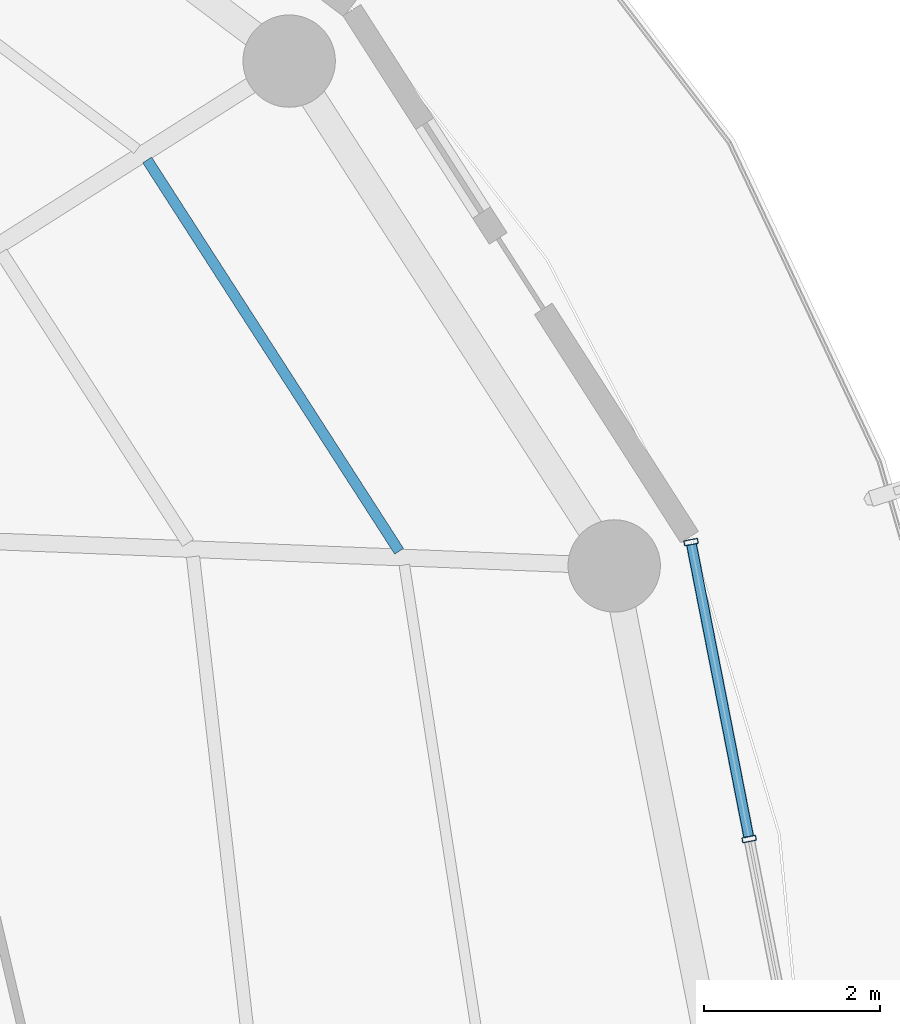
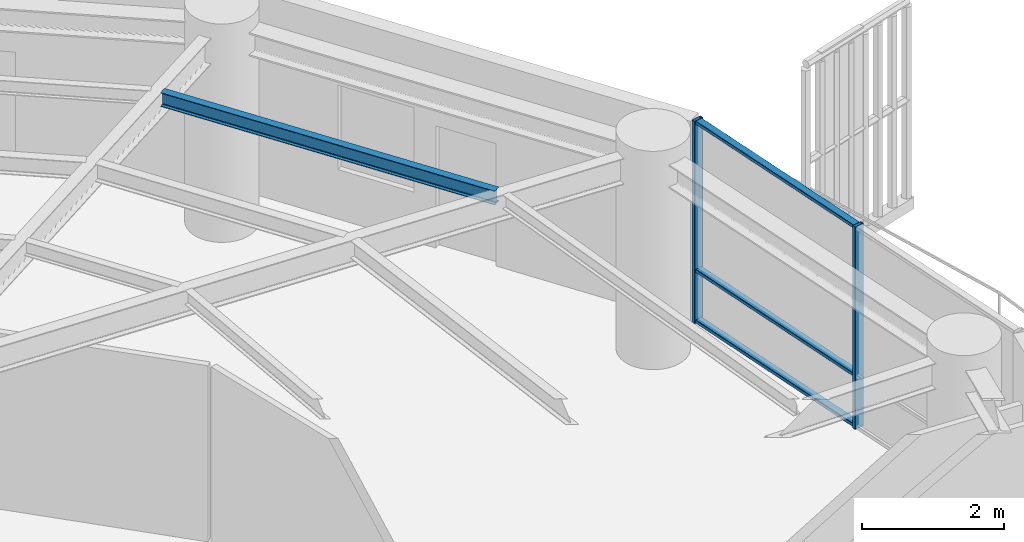
# One storey, part 16 of 31: 5 members, 1 beam, 1 element without a shape of its own.
"""IFC4 building model written with IfcOpenShell, lengths in metres."""

import ifcopenshell
import ifcopenshell.guid

model = None  # the IFC model being written
_history = None  # IfcOwnerHistory: only IFC2X3 demands one
_inside = {}  # id of a spatial element -> (the spatial element, [elements in it])
_under = {}  # id of a project, library or spatial element -> (it, [spatial elements below it])
_declared = {}  # id of a project -> (the project, [libraries it declares])
_typed = {}  # id of a type object -> (the type object, [elements of that type])
_made_of = {}  # id of a material, layer set ... -> (it, [elements and type objects made of it])


def new_model(schema):
    """Start an empty IFC model of exactly this schema.

    Asked for "IFC4X3", IfcOpenShell would pick the latest addendum, in which some entities
    have other attributes; the version numbers below select the first issue.
    IFC2X3 requires an IfcOwnerHistory on every rooted entity: one is made here for all.
    """
    global model, _history
    if schema == "IFC4X3":
        model = ifcopenshell.file(schema_version=(4, 3, 0, 0))
    else:
        model = ifcopenshell.file(schema=schema)
    _inside.clear()
    _under.clear()
    _declared.clear()
    _typed.clear()
    _made_of.clear()
    _history = None
    if model.schema == "IFC2X3":
        org = make("IfcOrganization", Name="unknown")
        user = make(
            "IfcPersonAndOrganization",
            ThePerson=make("IfcPerson", FamilyName="unknown"),
            TheOrganization=org,
        )
        app = make(
            "IfcApplication",
            ApplicationDeveloper=org,
            Version="unknown",
            ApplicationFullName="unknown",
            ApplicationIdentifier="unknown",
        )
        _history = make(
            "IfcOwnerHistory",
            OwningUser=user,
            OwningApplication=app,
            ChangeAction="ADDED",
            CreationDate=0,
        )
    return model


def make(cls, **values):
    """One entity of the class cls with the attributes given. An attribute that is None is left unset."""
    return model.create_entity(
        cls, **{name: value for name, value in values.items() if value is not None}
    )


def rooted(cls, **values):
    """An entity with a GlobalId (a new one), such as an element, a storey or a relation."""
    return make(cls, GlobalId=ifcopenshell.guid.new(), OwnerHistory=_history, **values)


def si_unit(unit_type, name, prefix=None):
    """IfcSIUnit, for example si_unit("LENGTHUNIT", "METRE", prefix="MILLI")."""
    return make("IfcSIUnit", UnitType=unit_type, Prefix=prefix, Name=name)


def assignment(units):
    """IfcUnitAssignment: the units of a project."""
    return None if units is None else make("IfcUnitAssignment", Units=units)


def point(xyz):
    """IfcCartesianPoint."""
    return None if xyz is None else make("IfcCartesianPoint", Coordinates=xyz)


def direction(xyz):
    """IfcDirection."""
    return None if xyz is None else make("IfcDirection", DirectionRatios=xyz)


def frame(location, z_axis=None, x_axis=None):
    """IfcAxis2Placement3D, a coordinate frame: its origin and axes. An axis left out is left unset."""
    return make(
        "IfcAxis2Placement3D",
        Location=point(location),
        Axis=direction(z_axis),
        RefDirection=direction(x_axis),
    )


def frame_2d(location, x_axis=None):
    """IfcAxis2Placement2D, a coordinate frame in the plane: its origin and x axis."""
    return make(
        "IfcAxis2Placement2D", Location=point(location), RefDirection=direction(x_axis)
    )


def origin():
    """The frame at (0, 0, 0) with its axes left unset."""
    return frame((0.0, 0.0, 0.0))


def origin_2d():
    """The frame at (0, 0) in the plane with its x axis left unset."""
    return frame_2d((0.0, 0.0))


def place(relative_to, where):
    """IfcLocalPlacement: puts the frame where relative to a parent placement (None: the world)."""
    return make(
        "IfcLocalPlacement", PlacementRelTo=relative_to, RelativePlacement=where
    )


def context(
    kind, dimensions, precision=None, world=None, true_north=None, identifier=None
):
    """IfcGeometricRepresentationContext, for example the 3D "Model" context."""
    return make(
        "IfcGeometricRepresentationContext",
        ContextIdentifier=identifier,
        ContextType=kind,
        CoordinateSpaceDimension=dimensions,
        Precision=precision,
        WorldCoordinateSystem=world,
        TrueNorth=true_north,
    )


def subcontext(parent, identifier, kind, view, scale=None):
    """IfcGeometricRepresentationSubContext, for example "Body" below "Model"."""
    return make(
        "IfcGeometricRepresentationSubContext",
        ContextIdentifier=identifier,
        ContextType=kind,
        ParentContext=parent,
        TargetScale=scale,
        TargetView=view,
    )


def project(units=None, contexts=None):
    """IfcProject with its units and contexts."""
    return rooted(
        "IfcProject",
        Name="project",
        RepresentationContexts=contexts,
        UnitsInContext=assignment(units),
    )


def spatial(cls, under=None, at=None, **own):
    """A site, building, storey or space (cls), placed at a placement, below another one or the project."""
    s = rooted(cls, ObjectPlacement=at, **own)
    if under is not None:
        _under.setdefault(under.id(), (under, []))[1].append(s)
    return s


def profile(cls, at=None, kind="AREA", **sizes):
    """A parametric profile (cls). Its sizes go by their IFC names, for example OverallWidth=200.0."""
    return make(cls, ProfileType=kind, Position=at, **sizes)


def hollow_rectangle(**sizes):
    """IfcRectangleHollowProfileDef."""
    return profile("IfcRectangleHollowProfileDef", **sizes)


def i_section(**sizes):
    """IfcIShapeProfileDef."""
    return profile("IfcIShapeProfileDef", **sizes)


def extrude(swept, where, along, depth):
    """IfcExtrudedAreaSolid: the profile swept, set in the frame where, extruded along a direction by depth."""
    return make(
        "IfcExtrudedAreaSolid",
        SweptArea=swept,
        Position=where,
        ExtrudedDirection=direction(along),
        Depth=depth,
    )


def shape(context_of_items, identifier, shape_type, items):
    """IfcShapeRepresentation: the items that make up one representation, for example the "Body"."""
    return make(
        "IfcShapeRepresentation",
        ContextOfItems=context_of_items,
        RepresentationIdentifier=identifier,
        RepresentationType=shape_type,
        Items=items,
    )


def material(Name=None, Category=None):
    """IfcMaterial."""
    return make("IfcMaterial", Name=Name, Category=Category)


def layer(
    of_material, thickness, ventilated=None, Name=None, Category=None, Priority=None
):
    """IfcMaterialLayer: one layer of a wall or slab, of a material (None: an air gap)."""
    return make(
        "IfcMaterialLayer",
        Material=of_material,
        LayerThickness=thickness,
        IsVentilated=ventilated,
        Name=Name,
        Category=Category,
        Priority=Priority,
    )


def layer_set(layers, Name=None):
    """IfcMaterialLayerSet."""
    return make("IfcMaterialLayerSet", MaterialLayers=layers, LayerSetName=Name)


def material_profile(
    of_material, cross_section, Name=None, Category=None, Priority=None
):
    """IfcMaterialProfile: a cross section and its material."""
    return make(
        "IfcMaterialProfile",
        Name=Name,
        Material=of_material,
        Profile=cross_section,
        Priority=Priority,
        Category=Category,
    )


def profile_set(profiles, Name=None, composite=None):
    """IfcMaterialProfileSet."""
    return make(
        "IfcMaterialProfileSet",
        Name=Name,
        MaterialProfiles=profiles,
        CompositeProfile=composite,
    )


def made_of(thing, what):
    """Note that an element or type object is made of a material, layer set ...; save() writes the relation."""
    if what is not None:
        _made_of.setdefault(what.id(), (what, []))[1].append(thing)
    return thing


def type_object(cls, material=None, **own):
    """A type object (cls), such as IfcWallType, which elements share."""
    return made_of(rooted(cls, **own), material)


def element(
    cls,
    number,
    at=None,
    inside=None,
    cuts=None,
    type_object=None,
    material=None,
    context=None,
    identifier="Body",
    shape_type=None,
    held_by="IfcProductDefinitionShape",
    body=None,
    shapes=None,
    **own,
):
    """One element of the class cls, such as IfcWall. Its Tag is "e" and its number.

    at: its placement. inside: the storey or other place that contains it. cuts: it is an
    opening in that element (IfcRelVoidsElement). A single representation is given by context,
    identifier, shape_type and body (its items); several are given by shapes. held_by: the class
    of the entity that holds the representations. save() writes the other relations.
    """
    e = rooted(cls, Tag="e%d" % number, ObjectPlacement=at, **own)
    if body is not None:
        shapes = [shape(context, identifier, shape_type, body)]
    if shapes is not None:
        e.Representation = make(held_by, Representations=shapes)
    if inside is not None:
        _inside.setdefault(inside.id(), (inside, []))[1].append(e)
    if cuts is not None:
        rooted(
            "IfcRelVoidsElement", RelatingBuildingElement=cuts, RelatedOpeningElement=e
        )
    if type_object is not None:
        _typed.setdefault(type_object.id(), (type_object, []))[1].append(e)
    return made_of(e, material)


def aggregate(whole, parts):
    """IfcRelAggregates: a whole, such as a stair, and the parts it consists of."""
    return rooted("IfcRelAggregates", RelatingObject=whole, RelatedObjects=parts)


def save(model, path):
    """Write the relations noted so far, then the file.

    IfcRelAggregates (storeys below a building ...), IfcRelContainedInSpatialStructure (elements
    in a storey), IfcRelDefinesByType, IfcRelAssociatesMaterial and IfcRelDeclares: one each for
    every whole, place, type object, material and project.
    """
    for whole, parts in _under.values():
        aggregate(whole, parts)
    for where, things in _inside.values():
        rooted(
            "IfcRelContainedInSpatialStructure",
            RelatedElements=things,
            RelatingStructure=where,
        )
    for kind, things in _typed.values():
        rooted("IfcRelDefinesByType", RelatedObjects=things, RelatingType=kind)
    for what, things in _made_of.values():
        rooted("IfcRelAssociatesMaterial", RelatedObjects=things, RelatingMaterial=what)
    for by, libraries in _declared.values():
        rooted("IfcRelDeclares", RelatingContext=by, RelatedDefinitions=libraries)
    model.write(path)


model = new_model("IFC4")

# Units and contexts
model_context = context("Model", 3, precision=1e-05, world=origin(), true_north=direction((0.0, 1.0)))
body_context = subcontext(model_context, "Body", "Model", "MODEL_VIEW")
ifc_project = project(units=[si_unit("LENGTHUNIT", "METRE"), si_unit("AREAUNIT", "SQUARE_METRE"), si_unit("VOLUMEUNIT", "CUBIC_METRE"), si_unit("PLANEANGLEUNIT", "RADIAN"), si_unit("MASSUNIT", "GRAM", prefix="KILO")], contexts=[model_context])

# Site, building, storey
site_placement = place(None, origin())
site = spatial("IfcSite", under=ifc_project, at=site_placement, CompositionType="ELEMENT")
building_placement = place(site_placement, origin())
building = spatial("IfcBuilding", under=site, at=building_placement, Name="Kelanora Arch Commons", CompositionType="ELEMENT")
storey_placement = place(building_placement, frame((0.0, 0.0, 193.199951171875)))
storey = spatial("IfcBuildingStorey", under=building, at=storey_placement, Name="L49", CompositionType="ELEMENT", Elevation=193.199951171875)

# Beam
ifc_material_1 = material(Name="Steel S355", Category="steel")
ifc_material_profile_1 = material_profile(ifc_material_1, i_section(OverallWidth=0.1201171875, OverallDepth=0.239990234375, WebThickness=0.006103515625, FlangeThickness=0.009765625, FilletRadius=0.014892578125, at=origin_2d()), Name="IPE240")
ifc_profile_set_1 = profile_set([ifc_material_profile_1], Name="Steel S355")
beam_type = type_object("IfcBeamType", Name="BM-JST-02", PredefinedType="JOIST", material=ifc_profile_set_1)
beam_placement = place(storey_placement, frame((91.55126953125, 64.69189453125, 3.3701171875), z_axis=(-0.541382492679, 0.840776424872, 0.0), x_axis=(-0.840776424872, -0.541382492679, 0.0)))
element("IfcBeam", 1, at=beam_placement, inside=storey, type_object=beam_type, Name="Secondary Chord Joist BJC-02 L49", PredefinedType="JOIST", context=body_context, shape_type="SweptSolid", body=[
    extrude(i_section(OverallWidth=0.1201171875, OverallDepth=0.239990234375, WebThickness=0.006103515625, FlangeThickness=0.009765625, FilletRadius=0.014892578125, at=origin_2d()), origin(), (0.0, 0.0, 1.0), 5.29052734375),
])

# Curtain wall, members
ifc_material_2 = material(Name="Terracotta ceramic-fritted low-E glass and aluminium", Category="masonry")
ifc_layer = layer(ifc_material_2, 0.175048828125)
ifc_layer_set = layer_set([ifc_layer], Name="Terracotta ceramic-fritted low-E glass and aluminium")
curtain_wall_type = type_object("IfcCurtainWallType", Name="CW-SYS-02", PredefinedType="NOTDEFINED", material=ifc_layer_set)
curtain_wall_placement = place(storey_placement, origin())
curtain_wall = element("IfcCurtainWall", 2, at=curtain_wall_placement, inside=storey, type_object=curtain_wall_type, Name="Unitised Curtain Wall L49-B00", PredefinedType="NOTDEFINED")
ifc_material_3 = material(Name="Powder-coated aluminium terracotta", Category="masonry")
ifc_material_profile_2 = material_profile(ifc_material_3, hollow_rectangle(XDim=0.159912109375, YDim=0.06005859375, WallThickness=0.0048828125, InnerFilletRadius=0.0048828125, OuterFilletRadius=0.010009765625, at=origin_2d()), Name="CWM160x60")
ifc_profile_set_2 = profile_set([ifc_material_profile_2], Name="Powder-coated aluminium terracotta")
member_type_1 = type_object("IfcMemberType", Name="CWM-STD", PredefinedType="MULLION", material=ifc_profile_set_2)
member_1_placement = place(storey_placement, frame((95.530517578125, 61.420166015625, 0.0), z_axis=(0.0, 0.0, 1.0), x_axis=(-0.981381438349, -0.192068926335, 0.0)))
member_1 = element("IfcMember", 3, at=member_1_placement, type_object=member_type_1, Name="CW-02 mullion 2", PredefinedType="MULLION", context=body_context, shape_type="SweptSolid", body=[
    extrude(hollow_rectangle(XDim=0.159912109375, YDim=0.06005859375, WallThickness=0.0048828125, InnerFilletRadius=0.0048828125, OuterFilletRadius=0.010009765625, at=origin_2d()), origin(), (0.0, 0.0, 1.0), 3.47509765625),
])
member_2_placement = place(storey_placement, frame((94.869873046875, 64.796142578125, 0.0), z_axis=(0.0, 0.0, 1.0), x_axis=(-0.981381438349, -0.192068926335, 0.0)))
member_2 = element("IfcMember", 4, at=member_2_placement, type_object=member_type_1, Name="CW-02 mullion 3", PredefinedType="MULLION", context=body_context, shape_type="SweptSolid", body=[
    extrude(hollow_rectangle(XDim=0.159912109375, YDim=0.06005859375, WallThickness=0.0048828125, InnerFilletRadius=0.0048828125, OuterFilletRadius=0.010009765625, at=origin_2d()), origin(), (0.0, 0.0, 1.0), 3.47509765625),
])
ifc_material_profile_3 = material_profile(ifc_material_3, hollow_rectangle(XDim=0.1201171875, YDim=0.06005859375, WallThickness=0.0048828125, InnerFilletRadius=0.0048828125, OuterFilletRadius=0.010009765625, at=origin_2d()), Name="CWT120x60")
ifc_profile_set_3 = profile_set([ifc_material_profile_3], Name="Powder-coated aluminium terracotta")
member_type_2 = type_object("IfcMemberType", Name="CWT-STD", PredefinedType="USERDEFINED", material=ifc_profile_set_3)
member_3_placement = place(storey_placement, frame((95.52490234375, 61.44970703125, 0.030029296875), z_axis=(-0.192058488005, 0.981383481207, 0.0), x_axis=(-0.981383481207, -0.192058488005, 0.0)))
member_3 = element("IfcMember", 5, at=member_3_placement, type_object=member_type_2, Name="CW-02 transom 2.1", ObjectType="TRANSOM", PredefinedType="USERDEFINED", context=body_context, shape_type="SweptSolid", body=[
    extrude(hollow_rectangle(XDim=0.1201171875, YDim=0.06005859375, WallThickness=0.0048828125, InnerFilletRadius=0.0048828125, OuterFilletRadius=0.010009765625, at=origin_2d()), origin(), (0.0, 0.0, 1.0), 3.380126953125),
])
member_4_placement = place(storey_placement, frame((95.52490234375, 61.44970703125, 0.900146484375), z_axis=(-0.192058488005, 0.981383481207, 0.0), x_axis=(-0.981383481207, -0.192058488005, 0.0)))
member_4 = element("IfcMember", 6, at=member_4_placement, type_object=member_type_2, Name="CW-02 transom 2.2", ObjectType="TRANSOM", PredefinedType="USERDEFINED", context=body_context, shape_type="SweptSolid", body=[
    extrude(hollow_rectangle(XDim=0.1201171875, YDim=0.06005859375, WallThickness=0.0048828125, InnerFilletRadius=0.0048828125, OuterFilletRadius=0.010009765625, at=origin_2d()), origin(), (0.0, 0.0, 1.0), 3.380126953125),
])
member_5_placement = place(storey_placement, frame((95.52490234375, 61.44970703125, 3.445068359375), z_axis=(-0.192058488005, 0.981383481207, 0.0), x_axis=(-0.981383481207, -0.192058488005, 0.0)))
member_5 = element("IfcMember", 7, at=member_5_placement, type_object=member_type_2, Name="CW-02 transom 2.3", ObjectType="TRANSOM", PredefinedType="USERDEFINED", context=body_context, shape_type="SweptSolid", body=[
    extrude(hollow_rectangle(XDim=0.1201171875, YDim=0.06005859375, WallThickness=0.0048828125, InnerFilletRadius=0.0048828125, OuterFilletRadius=0.010009765625, at=origin_2d()), origin(), (0.0, 0.0, 1.0), 3.380126953125),
])
aggregate(curtain_wall, [member_1, member_2, member_3, member_4, member_5])

save(model, "model.ifc")
